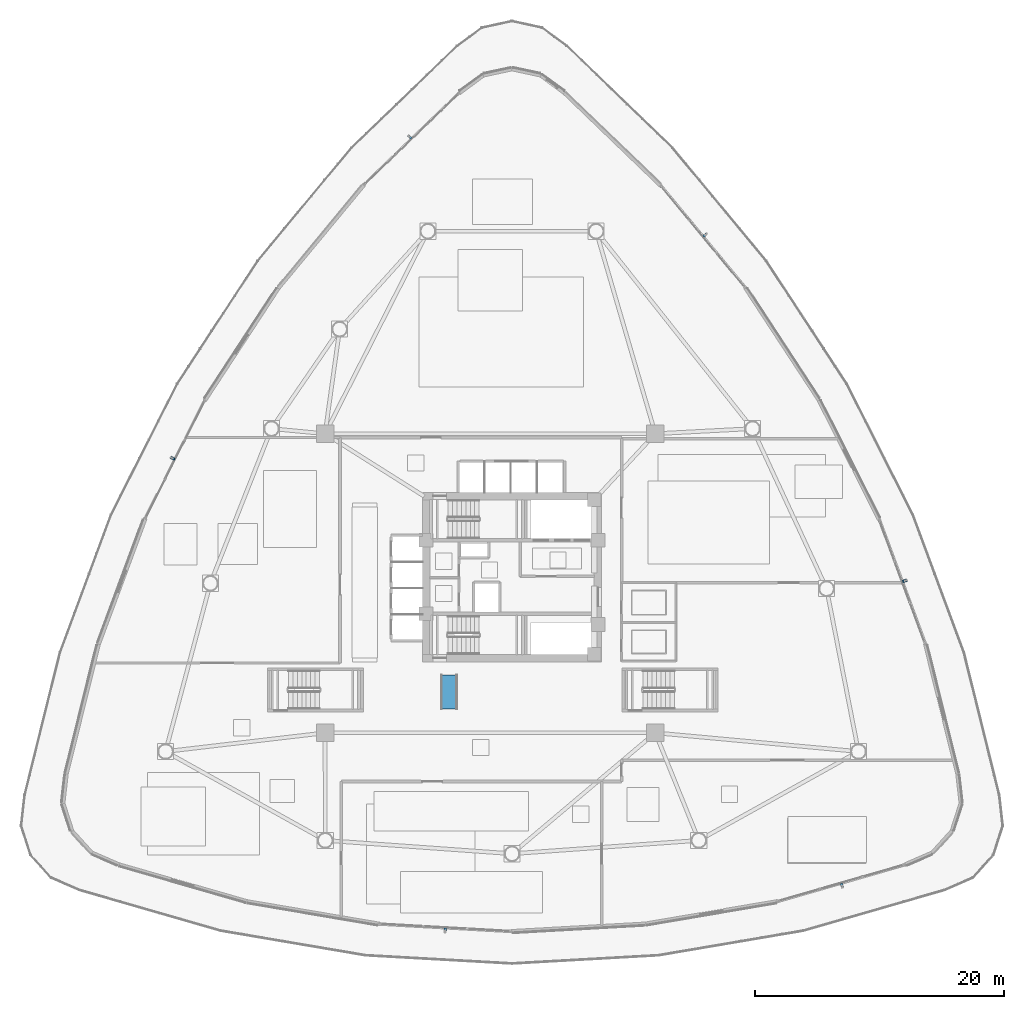
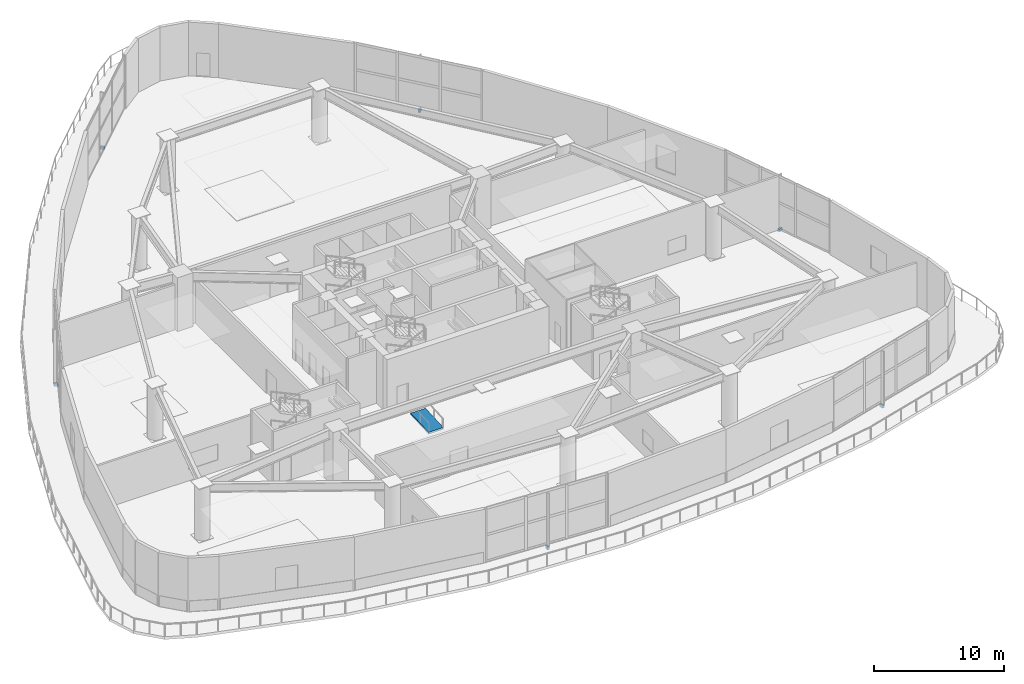
# One storey, part 16 of 25: 6 discrete accessories, 1 ramp flight, 1 element without a shape of its own.
"""IFC4 building model written with IfcOpenShell, lengths in metres."""

from ifc_helpers import new_model, si_unit, direction, frame, origin, origin_2d, place, context, subcontext, project, spatial, polyline, rectangle, outline, extrude, source, transform, mapped, material, layer, layer_set, type_object, type_shapes, element, aggregate, save


model = new_model("IFC4")

# Units and contexts
model_context = context("Model", 3, precision=1e-05, world=origin(), true_north=direction((0.0, 1.0)))
body_context = subcontext(model_context, "Body", "Model", "MODEL_VIEW")
ifc_project = project(units=[si_unit("LENGTHUNIT", "METRE"), si_unit("AREAUNIT", "SQUARE_METRE"), si_unit("VOLUMEUNIT", "CUBIC_METRE"), si_unit("PLANEANGLEUNIT", "RADIAN"), si_unit("MASSUNIT", "GRAM", prefix="KILO")], contexts=[model_context])

# Site, building, storey
site_placement = place(None, origin())
site = spatial("IfcSite", under=ifc_project, at=site_placement, CompositionType="ELEMENT")
building_placement = place(site_placement, origin())
building = spatial("IfcBuilding", under=site, at=building_placement, Name="Tavelor Broadcast Tower", CompositionType="ELEMENT")
storey_placement = place(building_placement, frame((0.0, 0.0, 11.39990234375)))
storey = spatial("IfcBuildingStorey", under=building, at=storey_placement, Name="L02", CompositionType="ELEMENT", Elevation=11.39990234375)

# Ramp, ramp flight
ifc_material_1 = material(Name="Concrete C40/50", Category="concrete")
ramp_type = type_object("IfcRampType", Name="Accessible Step-Free Studio Threshold Ramp 1600 mm", PredefinedType="STRAIGHT_RUN_RAMP", material=ifc_material_1)
ramp_placement = place(storey_placement, origin())
ramp = element("IfcRamp", 1, at=ramp_placement, inside=storey, type_object=ramp_type, Name="L02 Accessible Pedestrian Concourse Ramp AR03", PredefinedType="STRAIGHT_RUN_RAMP")
ifc_layer = layer(ifc_material_1, 0.179931640625)
ifc_layer_set = layer_set([ifc_layer], Name="Concrete C40/50")
ramp_flight_type = type_object("IfcRampFlightType", Name="Accessible Studio Threshold Ramp Flight 180 mm", PredefinedType="STRAIGHT", material=ifc_layer_set)
ramp_flight_placement = place(storey_placement, frame((44.300048828125, 34.39990234375, 0.0), z_axis=(0.0, 0.0, 1.0), x_axis=(0.0, 1.0, 0.0)))
ramp_flight = element("IfcRampFlight", 2, at=ramp_flight_placement, type_object=ramp_flight_type, Name="L02 Accessible Pedestrian Ramp Flight AR03-F1", PredefinedType="STRAIGHT", context=body_context, shape_type="SweptSolid", body=[
    extrude(outline(polyline([(0.0, -0.179931640625), (2.75, -0.039794921875), (2.75, 0.14013671875), (0.0, 0.0), (0.0, -0.179931640625)])), frame((0.0, 0.0, 0.0), z_axis=(0.0, -1.0, 0.0), x_axis=(1.0, 0.0, 0.0)), (0.0, 0.0, 1.0), 1.320068359375),
])
aggregate(ramp, [ramp_flight])

# Discrete accessories
ifc_material_2 = material(Name="Steel S355", Category="steel")
discrete_accessory_type = type_object("IfcDiscreteAccessoryType", Name="Stainless Baguette Outrigger Support Bracket 260x180", PredefinedType="BRACKET", material=ifc_material_2)
shared_shape = source(origin(), body_context, "Body", "SweptSolid", [
    extrude(rectangle(XDim=0.179931640625, YDim=0.340087890625, at=origin_2d()), origin(), (0.0, 0.0, 1.0), 0.251953125),
])
type_shapes(discrete_accessory_type, [shared_shape])
for number, where, z_axis, x_axis, name in (
    (3, (41.80322265625, 80.3046875, -0.30078125), (0.0, 0.0, 1.0), (-0.720309024888, -0.693653305813, 0.0), "L02 Baguette Outrigger Bracket 7"),
    (4, (22.775390625, 54.52587890625, -0.30078125), (0.0, 0.0, 1.0), (-0.450565941999, -0.892743150022, 0.0), "L02 Baguette Outrigger Bracket 8"),
    (5, (44.637451171875, 16.659912109375, -0.30078125), (0.0, 0.0, 1.0), (0.998421217973, -0.05617002316, 0.0), "L02 Baguette Outrigger Bracket 9"),
    (6, (76.476318359375, 20.249267578125, -0.30078125), (0.0, 0.0, 1.0), (0.960875896697, 0.276979261222, 0.0), "L02 Baguette Outrigger Bracket 10"),
    (7, (81.512939453125, 44.6953125, -0.30078125), (0.0, 0.0, 1.0), (-0.347753981862, 0.937585819058, 0.0), "L02 Baguette Outrigger Bracket 11"),
    (8, (65.49267578125, 72.443359375, -0.30078125), (0.0, 0.0, 1.0), (-0.638096146601, 0.769956692089, 0.0), "L02 Baguette Outrigger Bracket 12"),
):
    element("IfcDiscreteAccessory", number, at=place(storey_placement, frame(where, z_axis=z_axis, x_axis=x_axis)), inside=storey, type_object=discrete_accessory_type, Name=name, PredefinedType="BRACKET", context=body_context, shape_type="MappedRepresentation", body=[
        mapped(shared_shape, transform((0.0, 0.0, 0.0), scale=1.0)),
    ])

save(model, "model.ifc")
